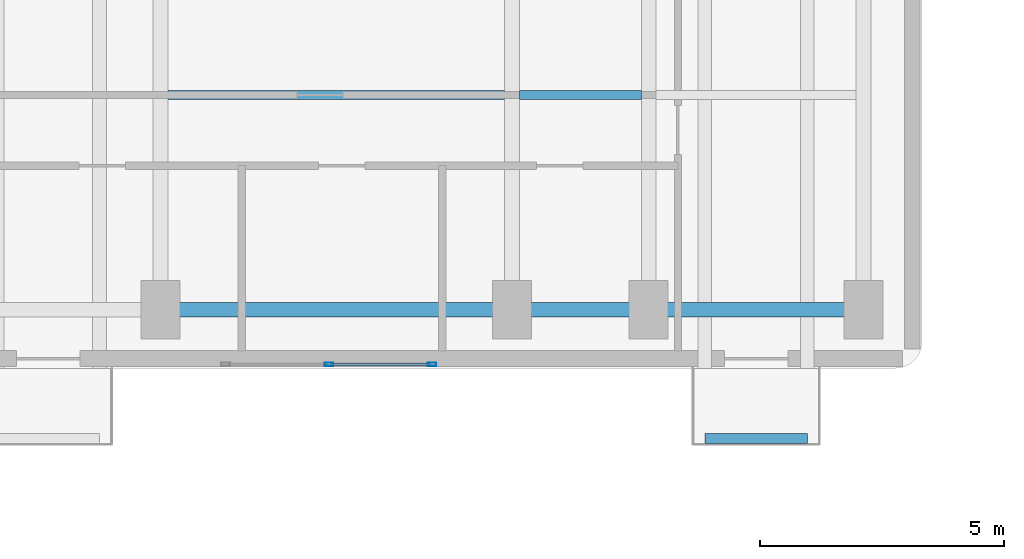
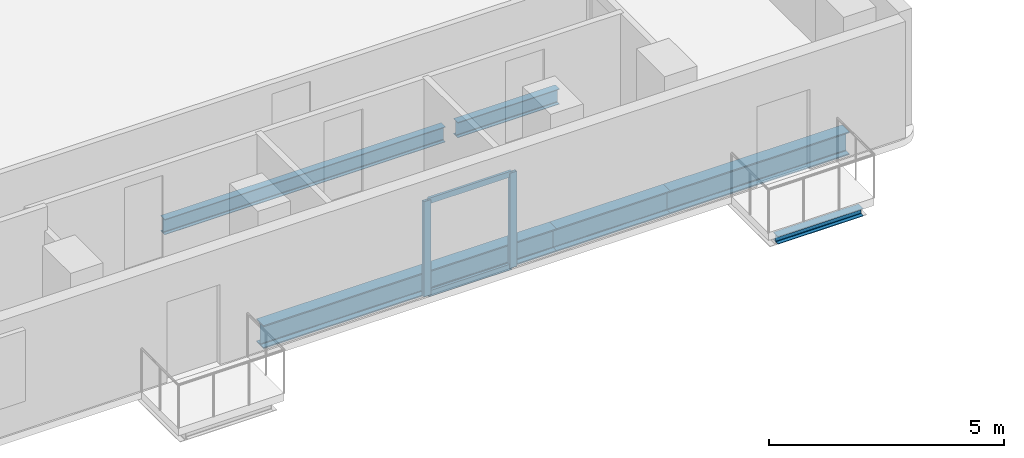
# One storey, part 6 of 14: 6 beams, 4 members, 1 element without a shape of its own.
"""IFC4 building model written with IfcOpenShell, lengths in metres."""

from ifc_helpers import new_model, si_unit, direction, frame, origin, origin_2d, place, context, subcontext, project, spatial, hollow_rectangle, i_section, extrude, material, material_profile, profile_set, type_object, element, aggregate, save


model = new_model("IFC4")

# Units and contexts
model_context = context("Model", 3, precision=1e-05, world=origin(), true_north=direction((0.0, 1.0)))
body_context = subcontext(model_context, "Body", "Model", "MODEL_VIEW")
ifc_project = project(units=[si_unit("LENGTHUNIT", "METRE"), si_unit("AREAUNIT", "SQUARE_METRE"), si_unit("VOLUMEUNIT", "CUBIC_METRE"), si_unit("PLANEANGLEUNIT", "RADIAN"), si_unit("MASSUNIT", "GRAM", prefix="KILO")], contexts=[model_context])

# Site, building, storey
site_placement = place(None, origin())
site = spatial("IfcSite", under=ifc_project, at=site_placement, CompositionType="ELEMENT")
building_placement = place(site_placement, origin())
building = spatial("IfcBuilding", under=site, at=building_placement, Name="Kuzgunbayir Cultural Tower", CompositionType="ELEMENT")
storey_placement = place(building_placement, frame((0.0, 0.0, 69.199951171875)))
storey = spatial("IfcBuildingStorey", under=building, at=storey_placement, Name="L19", CompositionType="ELEMENT", Elevation=69.199951171875)

# Beams
ifc_material_1 = material(Name="Steel S355J2", Category="steel")
ifc_material_profile_1 = material_profile(ifc_material_1, i_section(OverallWidth=0.199951171875, OverallDepth=0.199951171875, WebThickness=0.009033203125, FlangeThickness=0.014892578125, FilletRadius=0.01806640625, at=origin_2d()), Name="HEB 200")
ifc_profile_set_1 = profile_set([ifc_material_profile_1], Name="Steel S355J2")
beam_type_1 = type_object("IfcBeamType", Name="BM-CAN-HEB200", PredefinedType="BEAM", material=ifc_profile_set_1)
beam_1_placement = place(storey_placement, frame((42.35009765625, 24.9599609375, -0.300048828125), z_axis=(1.0, 0.0, 0.0), x_axis=(0.0, 1.0, 0.0)))
element("IfcBeam", 1, at=beam_1_placement, inside=storey, type_object=beam_type_1, Name="L19 Balcony Edge Header BAL-L19-WB3", PredefinedType="BEAM", context=body_context, shape_type="SweptSolid", body=[
    extrude(i_section(OverallWidth=0.199951171875, OverallDepth=0.199951171875, WebThickness=0.009033203125, FlangeThickness=0.014892578125, FilletRadius=0.01806640625, at=origin_2d()), origin(), (0.0, 0.0, 1.0), 2.099853515625),
])
ifc_material_profile_2 = material_profile(ifc_material_1, i_section(OverallWidth=0.300048828125, OverallDepth=0.60009765625, WebThickness=0.015380859375, FlangeThickness=0.030029296875, FilletRadius=0.027099609375, at=origin_2d()), Name="HEB 600")
ifc_profile_set_2 = profile_set([ifc_material_profile_2], Name="Steel S355J2")
beam_type_2 = type_object("IfcBeamType", Name="BM-EXT-HEB600", PredefinedType="BEAM", material=ifc_profile_set_2)
beam_2_placement = place(storey_placement, frame((31.199951171875, 27.60009765625, -0.47998046875), z_axis=(1.0, 0.0, 0.0), x_axis=(0.0, 1.0, 0.0)))
element("IfcBeam", 2, at=beam_2_placement, inside=storey, type_object=beam_type_2, Name="L19 Wing B South Girder 2", PredefinedType="BEAM", context=body_context, shape_type="SweptSolid", body=[
    extrude(i_section(OverallWidth=0.300048828125, OverallDepth=0.60009765625, WebThickness=0.015380859375, FlangeThickness=0.030029296875, FilletRadius=0.027099609375, at=origin_2d()), origin(), (0.0, 0.0, 1.0), 7.199951171875),
])
beam_3_placement = place(storey_placement, frame((38.39990234375, 27.60009765625, -0.47998046875), z_axis=(1.0, 0.0, 0.0), x_axis=(0.0, 1.0, 0.0)))
element("IfcBeam", 3, at=beam_3_placement, inside=storey, type_object=beam_type_2, Name="L19 Wing B South Girder 3", PredefinedType="BEAM", context=body_context, shape_type="SweptSolid", body=[
    extrude(i_section(OverallWidth=0.300048828125, OverallDepth=0.60009765625, WebThickness=0.015380859375, FlangeThickness=0.030029296875, FilletRadius=0.027099609375, at=origin_2d()), origin(), (0.0, 0.0, 1.0), 2.800048828125),
])
beam_4_placement = place(storey_placement, frame((41.199951171875, 27.60009765625, -0.47998046875), z_axis=(1.0, 0.0, 0.0), x_axis=(0.0, 1.0, 0.0)))
element("IfcBeam", 4, at=beam_4_placement, inside=storey, type_object=beam_type_2, Name="L19 Wing B South Girder 4", PredefinedType="BEAM", context=body_context, shape_type="SweptSolid", body=[
    extrude(i_section(OverallWidth=0.300048828125, OverallDepth=0.60009765625, WebThickness=0.015380859375, FlangeThickness=0.030029296875, FilletRadius=0.027099609375, at=origin_2d()), origin(), (0.0, 0.0, 1.0), 4.400146484375),
])
ifc_material_profile_3 = material_profile(ifc_material_1, i_section(OverallWidth=0.179931640625, OverallDepth=0.39990234375, WebThickness=0.008544921875, FlangeThickness=0.013427734375, FilletRadius=0.02099609375, at=origin_2d()), Name="IPE 400")
ifc_profile_set_3 = profile_set([ifc_material_profile_3], Name="Steel S355J2")
beam_type_3 = type_object("IfcBeamType", Name="BM-JST-IPE400", PredefinedType="JOIST", material=ifc_profile_set_3)
beam_5_placement = place(storey_placement, frame((31.35009765625, 32.0, -0.3798828125), z_axis=(1.0, 0.0, 0.0), x_axis=(0.0, 1.0, 0.0)))
element("IfcBeam", 5, at=beam_5_placement, inside=storey, type_object=beam_type_3, Name="L19 Wing B Secondary Joist 1.1", PredefinedType="JOIST", context=body_context, shape_type="SweptSolid", body=[
    extrude(i_section(OverallWidth=0.179931640625, OverallDepth=0.39990234375, WebThickness=0.008544921875, FlangeThickness=0.013427734375, FilletRadius=0.02099609375, at=origin_2d()), origin(), (0.0, 0.0, 1.0), 6.89990234375),
])
beam_6_placement = place(storey_placement, frame((38.550048828125, 32.0, -0.3798828125), z_axis=(1.0, 0.0, 0.0), x_axis=(0.0, 1.0, 0.0)))
element("IfcBeam", 6, at=beam_6_placement, inside=storey, type_object=beam_type_3, Name="L19 Wing B Secondary Joist 2.1", PredefinedType="JOIST", context=body_context, shape_type="SweptSolid", body=[
    extrude(i_section(OverallWidth=0.179931640625, OverallDepth=0.39990234375, WebThickness=0.008544921875, FlangeThickness=0.013427734375, FilletRadius=0.02099609375, at=origin_2d()), origin(), (0.0, 0.0, 1.0), 2.5),
])

# Curtain wall, members
ifc_material_2 = material(Name="Anodised Aluminium Framing", Category="aluminium")
curtain_wall_type = type_object("IfcCurtainWallType", Name="CW03-T1-OFFICE", PredefinedType="NOTDEFINED", material=ifc_material_2)
curtain_wall_placement = place(storey_placement, origin())
curtain_wall = element("IfcCurtainWall", 7, at=curtain_wall_placement, inside=storey, type_object=curtain_wall_type, Name="L19 Wing B South Feature Curtain Wall", PredefinedType="NOTDEFINED")
ifc_material_profile_4 = material_profile(ifc_material_2, hollow_rectangle(XDim=0.074951171875, YDim=0.179931640625, WallThickness=0.0048828125, at=origin_2d()), Name="RHS 180x75x5")
ifc_profile_set_4 = profile_set([ifc_material_profile_4], Name="Anodised Aluminium Framing")
member_type_1 = type_object("IfcMemberType", Name="MEM-CW-MULLION-180", PredefinedType="MULLION", material=ifc_profile_set_4)
member_1_placement = place(storey_placement, frame((34.64990234375, 26.47998046875, 0.0), z_axis=(0.0, 0.0, 1.0), x_axis=(0.0, 1.0, 0.0)))
member_1 = element("IfcMember", 8, at=member_1_placement, type_object=member_type_1, Name="CW03 mullion 2", PredefinedType="MULLION", context=body_context, shape_type="SweptSolid", body=[
    extrude(hollow_rectangle(XDim=0.074951171875, YDim=0.179931640625, WallThickness=0.0048828125, at=origin_2d()), origin(), (0.0, 0.0, 1.0), 2.469970703125),
])
member_2_placement = place(storey_placement, frame((36.762451171875, 26.47998046875, 0.0), z_axis=(0.0, 0.0, 1.0), x_axis=(0.0, 1.0, 0.0)))
member_2 = element("IfcMember", 9, at=member_2_placement, type_object=member_type_1, Name="CW03 mullion 3", PredefinedType="MULLION", context=body_context, shape_type="SweptSolid", body=[
    extrude(hollow_rectangle(XDim=0.074951171875, YDim=0.179931640625, WallThickness=0.0048828125, at=origin_2d()), origin(), (0.0, 0.0, 1.0), 2.469970703125),
])
ifc_material_profile_5 = material_profile(ifc_material_2, hollow_rectangle(XDim=0.06005859375, YDim=0.14990234375, WallThickness=0.00390625, at=origin_2d()), Name="RHS 150x60x4")
ifc_profile_set_5 = profile_set([ifc_material_profile_5], Name="Anodised Aluminium Framing")
member_type_2 = type_object("IfcMemberType", Name="MEM-CW-TRANSOM-150", PredefinedType="USERDEFINED", material=ifc_profile_set_5)
member_3_placement = place(storey_placement, frame((34.6875, 26.47998046875, 0.030029296875), z_axis=(1.0, 0.0, 0.0), x_axis=(0.0, 1.0, 0.0)))
member_3 = element("IfcMember", 10, at=member_3_placement, type_object=member_type_2, Name="CW03 transom 2.1", ObjectType="TRANSOM", PredefinedType="USERDEFINED", context=body_context, shape_type="SweptSolid", body=[
    extrude(hollow_rectangle(XDim=0.06005859375, YDim=0.14990234375, WallThickness=0.00390625, at=origin_2d()), origin(), (0.0, 0.0, 1.0), 2.03759765625),
])
member_4_placement = place(storey_placement, frame((34.6875, 26.47998046875, 2.43994140625), z_axis=(1.0, 0.0, 0.0), x_axis=(0.0, 1.0, 0.0)))
member_4 = element("IfcMember", 11, at=member_4_placement, type_object=member_type_2, Name="CW03 transom 2.2", ObjectType="TRANSOM", PredefinedType="USERDEFINED", context=body_context, shape_type="SweptSolid", body=[
    extrude(hollow_rectangle(XDim=0.06005859375, YDim=0.14990234375, WallThickness=0.00390625, at=origin_2d()), origin(), (0.0, 0.0, 1.0), 2.03759765625),
])
aggregate(curtain_wall, [member_1, member_2, member_3, member_4])

save(model, "model.ifc")
